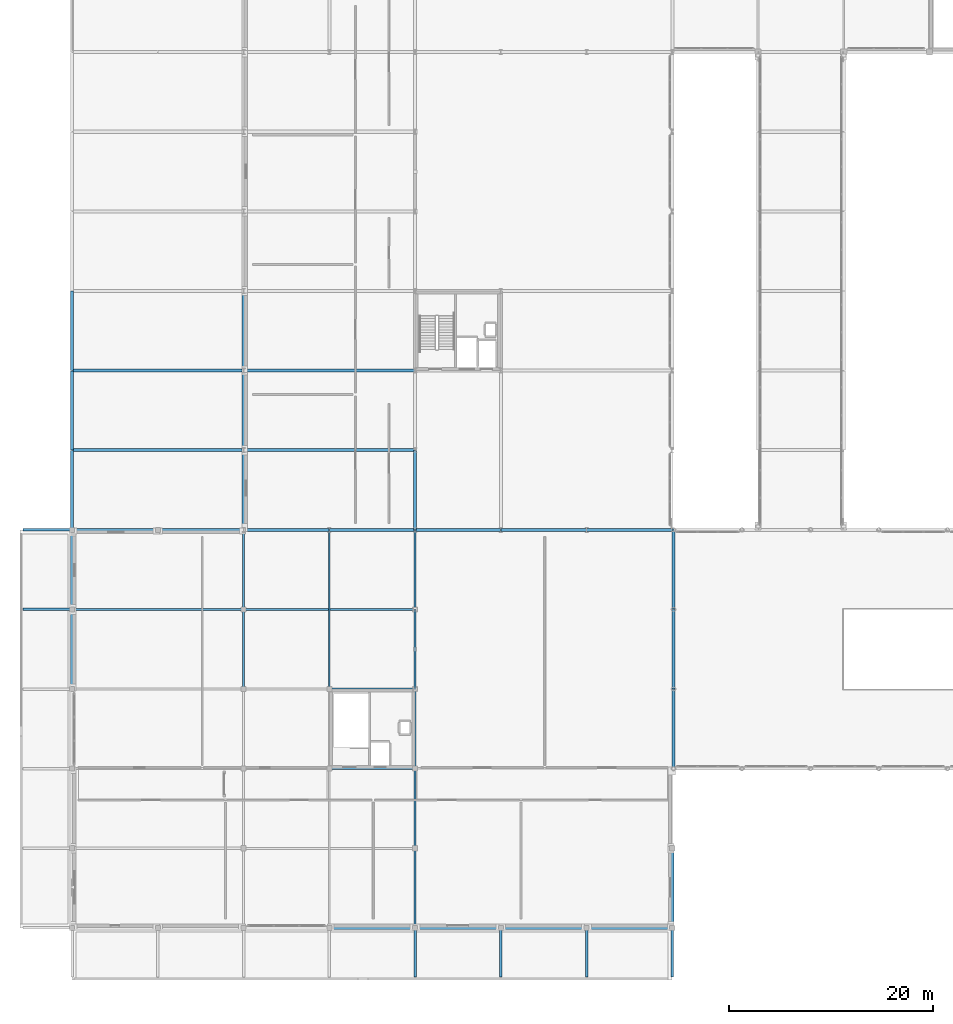
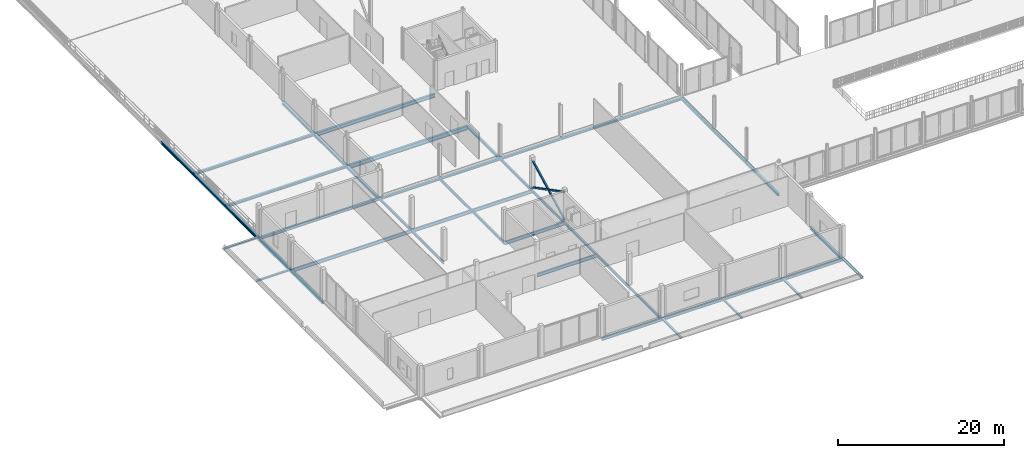
# One storey, part 26 of 98: 46 beams, 3 members.
"""IFC4 building model written with IfcOpenShell, lengths in metres."""

from ifc_helpers import new_model, si_unit, direction, frame, origin, origin_2d, place, context, subcontext, project, spatial, hollow_rectangle, i_section, extrude, material, material_profile, profile_set, type_object, element, save


model = new_model("IFC4")

# Units and contexts
model_context = context("Model", 3, precision=1e-05, world=origin(), true_north=direction((0.0, 1.0)))
body_context = subcontext(model_context, "Body", "Model", "MODEL_VIEW")
ifc_project = project(units=[si_unit("LENGTHUNIT", "METRE"), si_unit("AREAUNIT", "SQUARE_METRE"), si_unit("VOLUMEUNIT", "CUBIC_METRE"), si_unit("PLANEANGLEUNIT", "RADIAN"), si_unit("MASSUNIT", "GRAM", prefix="KILO")], contexts=[model_context])

# Site, building, storey
site_placement = place(None, origin())
site = spatial("IfcSite", under=ifc_project, at=site_placement, CompositionType="ELEMENT")
building_placement = place(site_placement, origin())
building = spatial("IfcBuilding", under=site, at=building_placement, Name="Nabrawat Pavilion Hospital", CompositionType="ELEMENT")
storey_placement = place(building_placement, frame((0.0, 0.0, 10.199951171875)))
storey = spatial("IfcBuildingStorey", under=building, at=storey_placement, Name="L02", CompositionType="ELEMENT", Elevation=10.199951171875)

# Beams
ifc_material = material(Name="Steel S355", Category="steel")
ifc_material_profile_1 = material_profile(ifc_material, i_section(OverallWidth=0.239990234375, OverallDepth=0.22998046875, WebThickness=0.007568359375, FlangeThickness=0.011962890625, FilletRadius=0.02099609375, at=origin_2d()), Name="HEA 240")
ifc_profile_set_1 = profile_set([ifc_material_profile_1], Name="Steel S355")
beam_type_1 = type_object("IfcBeamType", Name="Colonnade and Canopy Tie Beam HEA 240", PredefinedType="BEAM", material=ifc_profile_set_1)
for number, where, z_axis, x_axis, name in (
    (1, (33.60009765625, -4.800048828125, -0.264892578125), (0.0, 1.0, 0.0), (-1.0, 0.0, 0.0), "South Colonnade Cantilever Tie Beam 05"),
    (2, (42.0, -4.800048828125, -0.264892578125), (0.0, 1.0, 0.0), (-1.0, 0.0, 0.0), "South Colonnade Cantilever Tie Beam 06"),
    (3, (50.39990234375, -4.800048828125, -0.264892578125), (0.0, 1.0, 0.0), (-1.0, 0.0, 0.0), "South Colonnade Cantilever Tie Beam 07"),
    (4, (58.800048828125, -4.800048828125, -0.264892578125), (0.0, 1.0, 0.0), (-1.0, 0.0, 0.0), "South Colonnade Cantilever Tie Beam 08"),
    (5, (-4.800048828125, 31.199951171875, -0.264892578125), (1.0, 0.0, 0.0), (0.0, 1.0, 0.0), "Ambulance Canopy Tie Beam 05"),
    (6, (-4.800048828125, 39.0, -0.264892578125), (1.0, 0.0, 0.0), (0.0, 1.0, 0.0), "Ambulance Canopy Tie Beam 06"),
):
    element("IfcBeam", number, at=place(storey_placement, frame(where, z_axis=z_axis, x_axis=x_axis)), inside=storey, type_object=beam_type_1, Name=name, PredefinedType="BEAM", context=body_context, shape_type="SweptSolid", body=[
        extrude(i_section(OverallWidth=0.239990234375, OverallDepth=0.22998046875, WebThickness=0.007568359375, FlangeThickness=0.011962890625, FilletRadius=0.02099609375, at=origin_2d()), origin(), (0.0, 0.0, 1.0), 4.800048828125),
    ])

# Members
ifc_material_profile_2 = material_profile(ifc_material, hollow_rectangle(XDim=0.199951171875, YDim=0.199951171875, WallThickness=0.012451171875, at=origin_2d()), Name="SHS 200x200x12.5")
ifc_profile_set_2 = profile_set([ifc_material_profile_2], Name="Steel S355")
member_type = type_object("IfcMemberType", Name="Mid Seismic Chevron Brace SHS 200x200x12.5", PredefinedType="BRACE", material=ifc_profile_set_2)
member_1_placement = place(storey_placement, frame((33.60009765625, 23.39990234375, 0.050048828125), z_axis=(0.0, 0.887494984432, 0.460817374464), x_axis=(-1.0, 0.0, 0.0)))
element("IfcMember", 7, at=member_1_placement, inside=storey, type_object=member_type, Name="L02 Seismic Continuous X-Brace Diagonal 010", PredefinedType="BRACE", context=body_context, shape_type="SweptSolid", body=[
    extrude(hollow_rectangle(XDim=0.199951171875, YDim=0.199951171875, WallThickness=0.012451171875, at=origin_2d()), origin(), (0.0, 0.0, 1.0), 8.788818359375),
])
member_2_placement = place(storey_placement, frame((33.60009765625, 23.39990234375, 4.10009765625), z_axis=(0.0, 0.887506005605, -0.460796148003), x_axis=(-1.0, 0.0, 0.0)))
element("IfcMember", 8, at=member_2_placement, inside=storey, type_object=member_type, Name="L02 Seismic Split X-Brace Upper Segment 011", PredefinedType="BRACE", context=body_context, shape_type="SweptSolid", body=[
    extrude(hollow_rectangle(XDim=0.199951171875, YDim=0.199951171875, WallThickness=0.012451171875, at=origin_2d()), origin(), (0.0, 0.0, 1.0), 4.25439453125),
])
member_3_placement = place(storey_placement, frame((33.60009765625, 27.42431640625, 2.010498046875), z_axis=(0.0, 0.887493820083, -0.460819616894), x_axis=(-1.0, 0.0, 0.0)))
element("IfcMember", 9, at=member_3_placement, inside=storey, type_object=member_type, Name="L02 Seismic Split X-Brace Lower Segment 012", PredefinedType="BRACE", context=body_context, shape_type="SweptSolid", body=[
    extrude(hollow_rectangle(XDim=0.199951171875, YDim=0.199951171875, WallThickness=0.012451171875, at=origin_2d()), origin(), (0.0, 0.0, 1.0), 4.254150390625),
])

# Beams
ifc_material_profile_3 = material_profile(ifc_material, i_section(OverallWidth=0.300048828125, OverallDepth=0.389892578125, WebThickness=0.010986328125, FlangeThickness=0.01904296875, FilletRadius=0.027099609375, at=origin_2d()), Name="HEA 400")
ifc_profile_set_3 = profile_set([ifc_material_profile_3], Name="Steel S355")
beam_type_2 = type_object("IfcBeamType", Name="Perimeter Moment Spandrel Beam HEA 400", PredefinedType="SPANDREL", material=ifc_profile_set_3)
beam_1_placement = place(storey_placement, frame((25.219970703125, 0.0, -0.445068359375), z_axis=(1.0, 0.0, 0.0), x_axis=(0.0, 1.0, 0.0)))
element("IfcBeam", 10, at=beam_1_placement, inside=storey, type_object=beam_type_2, Name="L02 Primary X Girder 930", PredefinedType="SPANDREL", context=body_context, shape_type="SweptSolid", body=[
    extrude(i_section(OverallWidth=0.300048828125, OverallDepth=0.389892578125, WebThickness=0.010986328125, FlangeThickness=0.01904296875, FilletRadius=0.027099609375, at=origin_2d()), origin(), (0.0, 0.0, 1.0), 8.360107421875),
])
for number, where, z_axis, x_axis, name in (
    (11, (33.6201171875, 0.0, -0.445068359375), (1.0, 0.0, 0.0), (0.0, 1.0, 0.0), "L02 Primary X Girder 931"),
    (12, (42.02001953125, 0.0, -0.445068359375), (1.0, 0.0, 0.0), (0.0, 1.0, 0.0), "L02 Primary X Girder 932"),
):
    element("IfcBeam", number, at=place(storey_placement, frame(where, z_axis=z_axis, x_axis=x_axis)), inside=storey, type_object=beam_type_2, Name=name, PredefinedType="SPANDREL", context=body_context, shape_type="SweptSolid", body=[
        extrude(i_section(OverallWidth=0.300048828125, OverallDepth=0.389892578125, WebThickness=0.010986328125, FlangeThickness=0.01904296875, FilletRadius=0.027099609375, at=origin_2d()), origin(), (0.0, 0.0, 1.0), 8.35986328125),
    ])
beam_2_placement = place(storey_placement, frame((50.419921875, 0.0, -0.445068359375), z_axis=(1.0, 0.0, 0.0), x_axis=(0.0, 1.0, 0.0)))
element("IfcBeam", 13, at=beam_2_placement, inside=storey, type_object=beam_type_2, Name="L02 Primary X Girder 933", PredefinedType="SPANDREL", context=body_context, shape_type="SweptSolid", body=[
    extrude(i_section(OverallWidth=0.300048828125, OverallDepth=0.389892578125, WebThickness=0.010986328125, FlangeThickness=0.01904296875, FilletRadius=0.027099609375, at=origin_2d()), origin(), (0.0, 0.0, 1.0), 8.360107421875),
])
beam_3_placement = place(storey_placement, frame((0.02001953125, 39.0, -0.445068359375), z_axis=(1.0, 0.0, 0.0), x_axis=(0.0, 1.0, 0.0)))
element("IfcBeam", 14, at=beam_3_placement, inside=storey, type_object=beam_type_2, Name="L02 Primary X Girder 989", PredefinedType="SPANDREL", context=body_context, shape_type="SweptSolid", body=[
    extrude(i_section(OverallWidth=0.300048828125, OverallDepth=0.389892578125, WebThickness=0.010986328125, FlangeThickness=0.01904296875, FilletRadius=0.027099609375, at=origin_2d()), origin(), (0.0, 0.0, 1.0), 8.35986328125),
])
beam_4_placement = place(storey_placement, frame((8.419921875, 39.0, -0.445068359375), z_axis=(1.0, 0.0, 0.0), x_axis=(0.0, 1.0, 0.0)))
element("IfcBeam", 15, at=beam_4_placement, inside=storey, type_object=beam_type_2, Name="L02 Primary X Girder 990", PredefinedType="SPANDREL", context=body_context, shape_type="SweptSolid", body=[
    extrude(i_section(OverallWidth=0.300048828125, OverallDepth=0.389892578125, WebThickness=0.010986328125, FlangeThickness=0.01904296875, FilletRadius=0.027099609375, at=origin_2d()), origin(), (0.0, 0.0, 1.0), 8.360107421875),
])
for number, where, z_axis, x_axis, name in (
    (16, (0.0, 23.419921875, -0.445068359375), (0.0, 1.0, 0.0), (-1.0, 0.0, 0.0), "L02 Primary Y Beam 1175"),
    (17, (0.0, 31.219970703125, -0.445068359375), (0.0, 1.0, 0.0), (-1.0, 0.0, 0.0), "L02 Primary Y Beam 1176"),
    (18, (0.0, 39.02001953125, -0.425048828125), (0.0, 1.0, 0.0), (-1.0, 0.0, 0.0), "L02 Primary Y Beam 1177"),
    (19, (0.0, 46.820068359375, -0.425048828125), (0.0, 1.0, 0.0), (-1.0, 0.0, 0.0), "L02 Primary Y Beam 1178"),
):
    element("IfcBeam", number, at=place(storey_placement, frame(where, z_axis=z_axis, x_axis=x_axis)), inside=storey, type_object=beam_type_2, Name=name, PredefinedType="SPANDREL", context=body_context, shape_type="SweptSolid", body=[
        extrude(i_section(OverallWidth=0.300048828125, OverallDepth=0.389892578125, WebThickness=0.010986328125, FlangeThickness=0.01904296875, FilletRadius=0.027099609375, at=origin_2d()), origin(), (0.0, 0.0, 1.0), 7.760009765625),
    ])
beam_5_placement = place(storey_placement, frame((0.0, 54.6201171875, -0.425048828125), z_axis=(0.0, 1.0, 0.0), x_axis=(-1.0, 0.0, 0.0)))
element("IfcBeam", 20, at=beam_5_placement, inside=storey, type_object=beam_type_2, Name="L02 Primary Y Beam 1179", PredefinedType="SPANDREL", context=body_context, shape_type="SweptSolid", body=[
    extrude(i_section(OverallWidth=0.300048828125, OverallDepth=0.389892578125, WebThickness=0.010986328125, FlangeThickness=0.01904296875, FilletRadius=0.027099609375, at=origin_2d()), origin(), (0.0, 0.0, 1.0), 7.759765625),
])
for number, where, z_axis, x_axis, name in (
    (21, (16.800048828125, 39.02001953125, -0.46484375), (0.0, 1.0, 0.0), (-1.0, 0.0, 0.0), "L02 Primary Y Beam 1192"),
    (22, (16.800048828125, 46.820068359375, -0.46484375), (0.0, 1.0, 0.0), (-1.0, 0.0, 0.0), "L02 Primary Y Beam 1193"),
):
    element("IfcBeam", number, at=place(storey_placement, frame(where, z_axis=z_axis, x_axis=x_axis)), inside=storey, type_object=beam_type_2, Name=name, PredefinedType="SPANDREL", context=body_context, shape_type="SweptSolid", body=[
        extrude(i_section(OverallWidth=0.300048828125, OverallDepth=0.389892578125, WebThickness=0.010986328125, FlangeThickness=0.01904296875, FilletRadius=0.027099609375, at=origin_2d()), origin(), (0.0, 0.0, 1.0), 7.760009765625),
    ])
beam_6_placement = place(storey_placement, frame((16.800048828125, 54.6201171875, -0.46484375), z_axis=(0.0, 1.0, 0.0), x_axis=(-1.0, 0.0, 0.0)))
element("IfcBeam", 23, at=beam_6_placement, inside=storey, type_object=beam_type_2, Name="L02 Primary Y Beam 1194", PredefinedType="SPANDREL", context=body_context, shape_type="SweptSolid", body=[
    extrude(i_section(OverallWidth=0.300048828125, OverallDepth=0.389892578125, WebThickness=0.010986328125, FlangeThickness=0.01904296875, FilletRadius=0.027099609375, at=origin_2d()), origin(), (0.0, 0.0, 1.0), 7.759765625),
])
beam_7_placement = place(storey_placement, frame((58.800048828125, 0.02001953125, -0.445068359375), z_axis=(0.0, 1.0, 0.0), x_axis=(-1.0, 0.0, 0.0)))
element("IfcBeam", 24, at=beam_7_placement, inside=storey, type_object=beam_type_2, Name="L02 Primary Y Beam 1225", PredefinedType="SPANDREL", context=body_context, shape_type="SweptSolid", body=[
    extrude(i_section(OverallWidth=0.300048828125, OverallDepth=0.389892578125, WebThickness=0.010986328125, FlangeThickness=0.01904296875, FilletRadius=0.027099609375, at=origin_2d()), origin(), (0.0, 0.0, 1.0), 7.760009765625),
])
beam_8_placement = place(storey_placement, frame((58.919921875, 15.6201171875, -0.445068359375), z_axis=(0.0, 1.0, 0.0), x_axis=(-1.0, 0.0, 0.0)))
element("IfcBeam", 25, at=beam_8_placement, inside=storey, type_object=beam_type_2, Name="L02 Primary Y Beam 1235", PredefinedType="SPANDREL", context=body_context, shape_type="SweptSolid", body=[
    extrude(i_section(OverallWidth=0.300048828125, OverallDepth=0.389892578125, WebThickness=0.010986328125, FlangeThickness=0.01904296875, FilletRadius=0.027099609375, at=origin_2d()), origin(), (0.0, 0.0, 1.0), 7.759765625),
])
for number, where, z_axis, x_axis, name in (
    (26, (58.919921875, 23.419921875, -0.445068359375), (0.0, 1.0, 0.0), (-1.0, 0.0, 0.0), "L02 Primary Y Beam 1236"),
    (27, (58.919921875, 31.219970703125, -0.445068359375), (0.0, 1.0, 0.0), (-1.0, 0.0, 0.0), "L02 Primary Y Beam 1237"),
):
    element("IfcBeam", number, at=place(storey_placement, frame(where, z_axis=z_axis, x_axis=x_axis)), inside=storey, type_object=beam_type_2, Name=name, PredefinedType="SPANDREL", context=body_context, shape_type="SweptSolid", body=[
        extrude(i_section(OverallWidth=0.300048828125, OverallDepth=0.389892578125, WebThickness=0.010986328125, FlangeThickness=0.01904296875, FilletRadius=0.027099609375, at=origin_2d()), origin(), (0.0, 0.0, 1.0), 7.760009765625),
    ])
ifc_material_profile_4 = material_profile(ifc_material, i_section(OverallWidth=0.300048828125, OverallDepth=0.5400390625, WebThickness=0.012451171875, FlangeThickness=0.02392578125, FilletRadius=0.027099609375, at=origin_2d()), Name="HEA 550")
ifc_profile_set_4 = profile_set([ifc_material_profile_4], Name="Steel S355")
beam_type_3 = type_object("IfcBeamType", Name="Primary Clinical Girder HEA 550", PredefinedType="USERDEFINED", material=ifc_profile_set_4)
beam_9_placement = place(storey_placement, frame((16.820068359375, 54.60009765625, -0.5400390625), z_axis=(1.0, 0.0, 0.0), x_axis=(0.0, 1.0, 0.0)))
element("IfcBeam", 28, at=beam_9_placement, inside=storey, type_object=beam_type_3, Name="L02 Primary X Girder 1027", ObjectType="GIRDER", PredefinedType="USERDEFINED", context=body_context, shape_type="SweptSolid", body=[
    extrude(i_section(OverallWidth=0.300048828125, OverallDepth=0.5400390625, WebThickness=0.012451171875, FlangeThickness=0.02392578125, FilletRadius=0.027099609375, at=origin_2d()), origin(), (0.0, 0.0, 1.0), 16.760009765625),
])
ifc_material_profile_5 = material_profile(ifc_material, i_section(OverallWidth=0.300048828125, OverallDepth=0.60009765625, WebThickness=0.015380859375, FlangeThickness=0.030029296875, FilletRadius=0.027099609375, at=origin_2d()), Name="HEB 600")
ifc_profile_set_5 = profile_set([ifc_material_profile_5], Name="Steel S355")
beam_type_4 = type_object("IfcBeamType", Name="Primary Long-Span Girder HEB 600", PredefinedType="USERDEFINED", material=ifc_profile_set_5)
beam_10_placement = place(storey_placement, frame((16.820068359375, 46.800048828125, -0.570068359375), z_axis=(1.0, 0.0, 0.0), x_axis=(0.0, 1.0, 0.0)))
element("IfcBeam", 29, at=beam_10_placement, inside=storey, type_object=beam_type_4, Name="L02 Primary X Girder 1015", ObjectType="GIRDER", PredefinedType="USERDEFINED", context=body_context, shape_type="SweptSolid", body=[
    extrude(i_section(OverallWidth=0.300048828125, OverallDepth=0.60009765625, WebThickness=0.015380859375, FlangeThickness=0.030029296875, FilletRadius=0.027099609375, at=origin_2d()), origin(), (0.0, 0.0, 1.0), 16.760009765625),
])
ifc_material_profile_6 = material_profile(ifc_material, i_section(OverallWidth=0.199951171875, OverallDepth=0.5, WebThickness=0.01025390625, FlangeThickness=0.01611328125, FilletRadius=0.02099609375, at=origin_2d()), Name="IPE 500")
ifc_profile_set_6 = profile_set([ifc_material_profile_6], Name="Steel S355")
beam_type_5 = type_object("IfcBeamType", Name="Standard X Floor Girder IPE 500", PredefinedType="USERDEFINED", material=ifc_profile_set_6)
for number, where, z_axis, x_axis, name in (
    (30, (25.219970703125, 15.60009765625, -0.5), (1.0, 0.0, 0.0), (0.0, 1.0, 0.0), "L02 Primary X Girder 952"),
    (31, (25.219970703125, 23.39990234375, -0.5), (1.0, 0.0, 0.0), (0.0, 1.0, 0.0), "L02 Primary X Girder 973"),
):
    element("IfcBeam", number, at=place(storey_placement, frame(where, z_axis=z_axis, x_axis=x_axis)), inside=storey, type_object=beam_type_5, Name=name, ObjectType="GIRDER", PredefinedType="USERDEFINED", context=body_context, shape_type="SweptSolid", body=[
        extrude(i_section(OverallWidth=0.199951171875, OverallDepth=0.5, WebThickness=0.01025390625, FlangeThickness=0.01611328125, FilletRadius=0.02099609375, at=origin_2d()), origin(), (0.0, 0.0, 1.0), 8.360107421875),
    ])
for number, where, z_axis, x_axis, name in (
    (32, (0.02001953125, 31.199951171875, -0.5), (1.0, 0.0, 0.0), (0.0, 1.0, 0.0), "L02 Primary X Girder 981"),
    (33, (16.820068359375, 31.199951171875, -0.5), (1.0, 0.0, 0.0), (0.0, 1.0, 0.0), "L02 Primary X Girder 982"),
):
    element("IfcBeam", number, at=place(storey_placement, frame(where, z_axis=z_axis, x_axis=x_axis)), inside=storey, type_object=beam_type_5, Name=name, ObjectType="GIRDER", PredefinedType="USERDEFINED", context=body_context, shape_type="SweptSolid", body=[
        extrude(i_section(OverallWidth=0.199951171875, OverallDepth=0.5, WebThickness=0.01025390625, FlangeThickness=0.01611328125, FilletRadius=0.02099609375, at=origin_2d()), origin(), (0.0, 0.0, 1.0), 16.760009765625),
    ])
ifc_material_profile_7 = material_profile(ifc_material, i_section(OverallWidth=0.179931640625, OverallDepth=0.39990234375, WebThickness=0.008544921875, FlangeThickness=0.013427734375, FilletRadius=0.02099609375, at=origin_2d()), Name="IPE 400")
ifc_profile_set_7 = profile_set([ifc_material_profile_7], Name="Steel S355")
beam_type_6 = type_object("IfcBeamType", Name="Standard Y Floor Beam IPE 400", PredefinedType="BEAM", material=ifc_profile_set_7)
for number, where, z_axis, x_axis, name in (
    (34, (16.800048828125, 23.419921875, -0.449951171875), (0.0, 1.0, 0.0), (-1.0, 0.0, 0.0), "L02 Primary Y Beam 1190"),
    (35, (16.800048828125, 31.219970703125, -0.449951171875), (0.0, 1.0, 0.0), (-1.0, 0.0, 0.0), "L02 Primary Y Beam 1191"),
):
    element("IfcBeam", number, at=place(storey_placement, frame(where, z_axis=z_axis, x_axis=x_axis)), inside=storey, type_object=beam_type_6, Name=name, PredefinedType="BEAM", context=body_context, shape_type="SweptSolid", body=[
        extrude(i_section(OverallWidth=0.179931640625, OverallDepth=0.39990234375, WebThickness=0.008544921875, FlangeThickness=0.013427734375, FilletRadius=0.02099609375, at=origin_2d()), origin(), (0.0, 0.0, 1.0), 7.760009765625),
    ])
beam_11_placement = place(storey_placement, frame((25.199951171875, 23.419921875, -0.449951171875), z_axis=(0.0, 1.0, 0.0), x_axis=(-1.0, 0.0, 0.0)))
element("IfcBeam", 36, at=beam_11_placement, inside=storey, type_object=beam_type_6, Name="L02 Primary Y Beam 1204", PredefinedType="BEAM", context=body_context, shape_type="SweptSolid", body=[
    extrude(i_section(OverallWidth=0.179931640625, OverallDepth=0.39990234375, WebThickness=0.008544921875, FlangeThickness=0.013427734375, FilletRadius=0.02099609375, at=origin_2d()), origin(), (0.0, 0.0, 1.0), 15.56005859375),
])
for number, where, z_axis, x_axis, name in (
    (37, (33.60009765625, 0.02001953125, -0.449951171875), (0.0, 1.0, 0.0), (-1.0, 0.0, 0.0), "L02 Primary Y Beam 1208"),
    (38, (33.60009765625, 7.820068359375, -0.449951171875), (0.0, 1.0, 0.0), (-1.0, 0.0, 0.0), "L02 Primary Y Beam 1209"),
):
    element("IfcBeam", number, at=place(storey_placement, frame(where, z_axis=z_axis, x_axis=x_axis)), inside=storey, type_object=beam_type_6, Name=name, PredefinedType="BEAM", context=body_context, shape_type="SweptSolid", body=[
        extrude(i_section(OverallWidth=0.179931640625, OverallDepth=0.39990234375, WebThickness=0.008544921875, FlangeThickness=0.013427734375, FilletRadius=0.02099609375, at=origin_2d()), origin(), (0.0, 0.0, 1.0), 7.760009765625),
    ])
beam_12_placement = place(storey_placement, frame((33.60009765625, 15.6201171875, -0.449951171875), z_axis=(0.0, 1.0, 0.0), x_axis=(-1.0, 0.0, 0.0)))
element("IfcBeam", 39, at=beam_12_placement, inside=storey, type_object=beam_type_6, Name="L02 Primary Y Beam 1210", PredefinedType="BEAM", context=body_context, shape_type="SweptSolid", body=[
    extrude(i_section(OverallWidth=0.179931640625, OverallDepth=0.39990234375, WebThickness=0.008544921875, FlangeThickness=0.013427734375, FilletRadius=0.02099609375, at=origin_2d()), origin(), (0.0, 0.0, 1.0), 7.759765625),
])
for number, where, z_axis, x_axis, name in (
    (40, (33.60009765625, 23.419921875, -0.449951171875), (0.0, 1.0, 0.0), (-1.0, 0.0, 0.0), "L02 Primary Y Beam 1211"),
    (41, (33.60009765625, 31.219970703125, -0.449951171875), (0.0, 1.0, 0.0), (-1.0, 0.0, 0.0), "L02 Primary Y Beam 1212"),
):
    element("IfcBeam", number, at=place(storey_placement, frame(where, z_axis=z_axis, x_axis=x_axis)), inside=storey, type_object=beam_type_6, Name=name, PredefinedType="BEAM", context=body_context, shape_type="SweptSolid", body=[
        extrude(i_section(OverallWidth=0.179931640625, OverallDepth=0.39990234375, WebThickness=0.008544921875, FlangeThickness=0.013427734375, FilletRadius=0.02099609375, at=origin_2d()), origin(), (0.0, 0.0, 1.0), 7.760009765625),
    ])
ifc_material_profile_8 = material_profile(ifc_material, i_section(OverallWidth=0.300048828125, OverallDepth=0.360107421875, WebThickness=0.012451171875, FlangeThickness=0.0224609375, FilletRadius=0.027099609375, at=origin_2d()), Name="HEB 360")
ifc_profile_set_8 = profile_set([ifc_material_profile_8], Name="Steel S355")
beam_type_7 = type_object("IfcBeamType", Name="Surgical Perimeter Spandrel HEB 360", PredefinedType="SPANDREL", material=ifc_profile_set_8)
beam_13_placement = place(storey_placement, frame((16.820068359375, 39.0, -0.449951171875), z_axis=(1.0, 0.0, 0.0), x_axis=(0.0, 1.0, 0.0)))
element("IfcBeam", 42, at=beam_13_placement, inside=storey, type_object=beam_type_7, Name="L02 Primary X Girder 991", PredefinedType="SPANDREL", context=body_context, shape_type="SweptSolid", body=[
    extrude(i_section(OverallWidth=0.300048828125, OverallDepth=0.360107421875, WebThickness=0.012451171875, FlangeThickness=0.0224609375, FilletRadius=0.027099609375, at=origin_2d()), origin(), (0.0, 0.0, 1.0), 8.35986328125),
])
beam_14_placement = place(storey_placement, frame((25.219970703125, 39.0, -0.449951171875), z_axis=(1.0, 0.0, 0.0), x_axis=(0.0, 1.0, 0.0)))
element("IfcBeam", 43, at=beam_14_placement, inside=storey, type_object=beam_type_7, Name="L02 Primary X Girder 992", PredefinedType="SPANDREL", context=body_context, shape_type="SweptSolid", body=[
    extrude(i_section(OverallWidth=0.300048828125, OverallDepth=0.360107421875, WebThickness=0.012451171875, FlangeThickness=0.0224609375, FilletRadius=0.027099609375, at=origin_2d()), origin(), (0.0, 0.0, 1.0), 8.360107421875),
])
for number, where, z_axis, x_axis, name in (
    (44, (33.6201171875, 39.0, -0.449951171875), (1.0, 0.0, 0.0), (0.0, 1.0, 0.0), "L02 Primary X Girder 993"),
    (45, (42.02001953125, 39.0, -0.449951171875), (1.0, 0.0, 0.0), (0.0, 1.0, 0.0), "L02 Primary X Girder 994"),
):
    element("IfcBeam", number, at=place(storey_placement, frame(where, z_axis=z_axis, x_axis=x_axis)), inside=storey, type_object=beam_type_7, Name=name, PredefinedType="SPANDREL", context=body_context, shape_type="SweptSolid", body=[
        extrude(i_section(OverallWidth=0.300048828125, OverallDepth=0.360107421875, WebThickness=0.012451171875, FlangeThickness=0.0224609375, FilletRadius=0.027099609375, at=origin_2d()), origin(), (0.0, 0.0, 1.0), 8.35986328125),
    ])
beam_15_placement = place(storey_placement, frame((50.419921875, 39.0, -0.449951171875), z_axis=(1.0, 0.0, 0.0), x_axis=(0.0, 1.0, 0.0)))
element("IfcBeam", 46, at=beam_15_placement, inside=storey, type_object=beam_type_7, Name="L02 Primary X Girder 995", PredefinedType="SPANDREL", context=body_context, shape_type="SweptSolid", body=[
    extrude(i_section(OverallWidth=0.300048828125, OverallDepth=0.360107421875, WebThickness=0.012451171875, FlangeThickness=0.0224609375, FilletRadius=0.027099609375, at=origin_2d()), origin(), (0.0, 0.0, 1.0), 8.47998046875),
])
for number, where, z_axis, x_axis, name in (
    (47, (0.02001953125, 46.800048828125, -0.409912109375), (1.0, 0.0, 0.0), (0.0, 1.0, 0.0), "L02 Primary X Girder 1014"),
    (48, (0.02001953125, 54.60009765625, -0.409912109375), (1.0, 0.0, 0.0), (0.0, 1.0, 0.0), "L02 Primary X Girder 1026"),
):
    element("IfcBeam", number, at=place(storey_placement, frame(where, z_axis=z_axis, x_axis=x_axis)), inside=storey, type_object=beam_type_7, Name=name, PredefinedType="SPANDREL", context=body_context, shape_type="SweptSolid", body=[
        extrude(i_section(OverallWidth=0.300048828125, OverallDepth=0.360107421875, WebThickness=0.012451171875, FlangeThickness=0.0224609375, FilletRadius=0.027099609375, at=origin_2d()), origin(), (0.0, 0.0, 1.0), 16.760009765625),
    ])
ifc_material_profile_9 = material_profile(ifc_material, i_section(OverallWidth=0.300048828125, OverallDepth=0.35009765625, WebThickness=0.009521484375, FlangeThickness=0.017578125, FilletRadius=0.027099609375, at=origin_2d()), Name="HEA 360")
ifc_profile_set_9 = profile_set([ifc_material_profile_9], Name="Steel S355")
beam_type_8 = type_object("IfcBeamType", Name="Surgical Stiffened Beam HEA 360", PredefinedType="BEAM", material=ifc_profile_set_9)
beam_16_placement = place(storey_placement, frame((33.60009765625, 39.02001953125, -0.445068359375), z_axis=(0.0, 1.0, 0.0), x_axis=(-1.0, 0.0, 0.0)))
element("IfcBeam", 49, at=beam_16_placement, inside=storey, type_object=beam_type_8, Name="L02 Primary Y Beam 1213", PredefinedType="BEAM", context=body_context, shape_type="SweptSolid", body=[
    extrude(i_section(OverallWidth=0.300048828125, OverallDepth=0.35009765625, WebThickness=0.009521484375, FlangeThickness=0.017578125, FilletRadius=0.027099609375, at=origin_2d()), origin(), (0.0, 0.0, 1.0), 7.760009765625),
])

save(model, "model.ifc")
